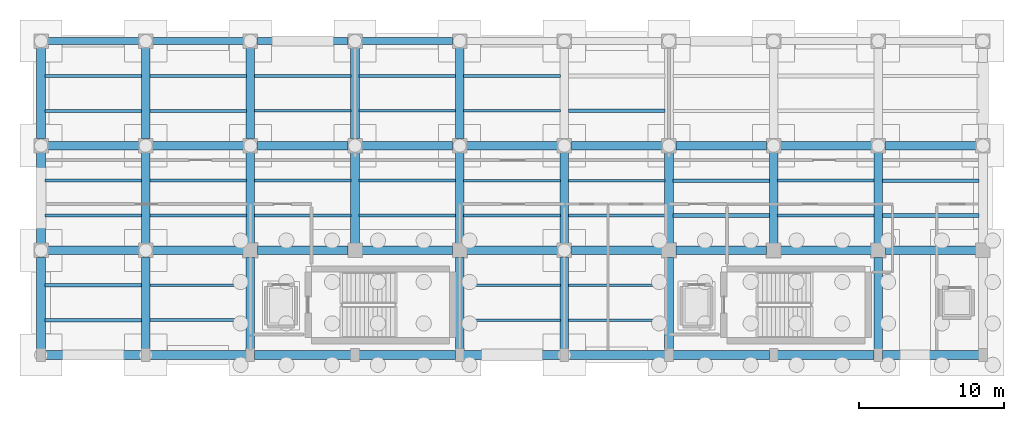
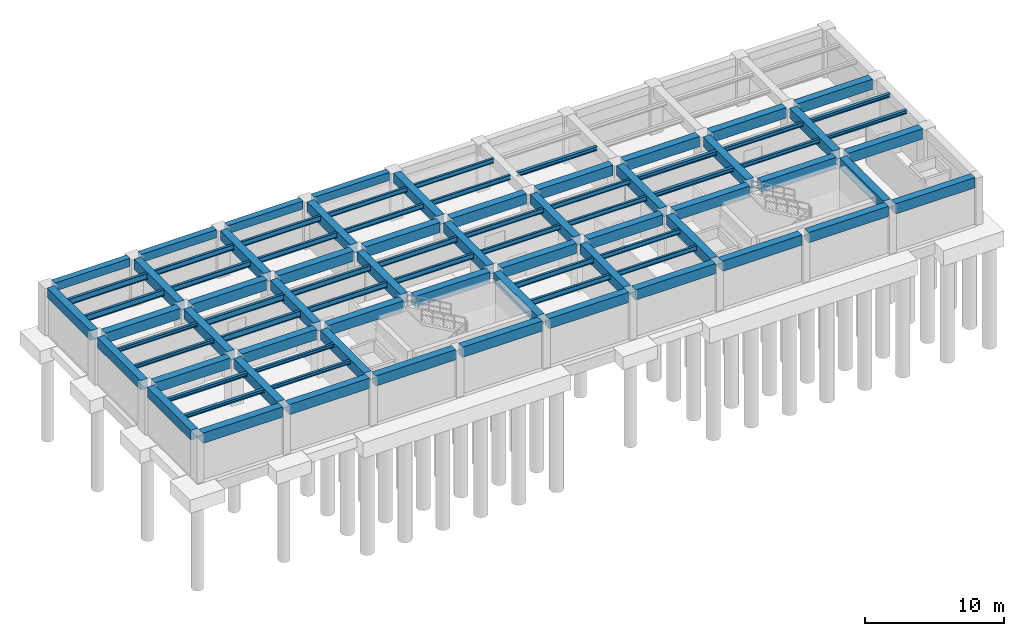
# One storey, part 2 of 8: 89 beams.
"""IFC4 building model written with IfcOpenShell, lengths in metres."""

from ifc_helpers import new_model, si_unit, direction, frame, origin, origin_2d, place, context, subcontext, project, spatial, rectangle, i_section, extrude, material, material_profile, profile_set, type_object, element, save


model = new_model("IFC4")

# Units and contexts
model_context = context("Model", 3, precision=1e-05, world=origin(), true_north=direction((0.0, 1.0)))
body_context = subcontext(model_context, "Body", "Model", "MODEL_VIEW")
ifc_project = project(units=[si_unit("LENGTHUNIT", "METRE"), si_unit("AREAUNIT", "SQUARE_METRE"), si_unit("VOLUMEUNIT", "CUBIC_METRE"), si_unit("PLANEANGLEUNIT", "RADIAN"), si_unit("MASSUNIT", "GRAM", prefix="KILO")], contexts=[model_context])

# Site, building, storey
site_placement = place(None, origin())
site = spatial("IfcSite", under=ifc_project, at=site_placement, CompositionType="ELEMENT")
building_placement = place(site_placement, origin())
building = spatial("IfcBuilding", under=site, at=building_placement, Name="Solenvale Faculty of Natural Sciences", CompositionType="ELEMENT")
storey_placement = place(building_placement, frame((0.0, 0.0, -9.0)))
storey = spatial("IfcBuildingStorey", under=building, at=storey_placement, Name="B02", CompositionType="ELEMENT", Elevation=-9.0)

# Beams
ifc_material_1 = material(Name="Concrete 40 MPa", Category="concrete")
ifc_material_profile_1 = material_profile(ifc_material_1, rectangle(XDim=0.60009765625, YDim=0.85009765625, at=origin_2d()), Name="RC-BM-600x850")
ifc_profile_set_1 = profile_set([ifc_material_profile_1], Name="Concrete 40 MPa")
beam_type_1 = type_object("IfcBeamType", Name="BM-RC-600x850", PredefinedType="BEAM", material=ifc_profile_set_1)
beam_1_placement = place(storey_placement, frame((86.39990234375, 94.030029296875, 3.72509765625), z_axis=(0.0, 1.0, 0.0), x_axis=(-1.0, 0.0, 0.0)))
element("IfcBeam", 1, at=beam_1_placement, inside=storey, type_object=beam_type_1, Name="B02 Y-Girder X86.4 (93.6..100.8)", PredefinedType="BEAM", context=body_context, shape_type="SweptSolid", body=[
    extrude(rectangle(XDim=0.60009765625, YDim=0.85009765625, at=origin_2d()), origin(), (0.0, 0.0, 1.0), 6.2900390625),
])
for number, where, z_axis, x_axis, name in (
    (2, (86.39990234375, 101.280029296875, 3.72509765625), (0.0, 1.0, 0.0), (-1.0, 0.0, 0.0), "B02 Y-Girder X86.4 (100.8..108.0)"),
    (3, (86.39990234375, 108.47998046875, 3.72509765625), (0.0, 1.0, 0.0), (-1.0, 0.0, 0.0), "B02 Y-Girder X86.4 (108.0..115.2)"),
):
    element("IfcBeam", number, at=place(storey_placement, frame(where, z_axis=z_axis, x_axis=x_axis)), inside=storey, type_object=beam_type_1, Name=name, PredefinedType="BEAM", context=body_context, shape_type="SweptSolid", body=[
        extrude(rectangle(XDim=0.60009765625, YDim=0.85009765625, at=origin_2d()), origin(), (0.0, 0.0, 1.0), 6.239990234375),
    ])
beam_2_placement = place(storey_placement, frame((93.60009765625, 94.030029296875, 3.72509765625), z_axis=(0.0, 1.0, 0.0), x_axis=(-1.0, 0.0, 0.0)))
element("IfcBeam", 4, at=beam_2_placement, inside=storey, type_object=beam_type_1, Name="B02 Y-Girder X93.6 (93.6..100.8)", PredefinedType="BEAM", context=body_context, shape_type="SweptSolid", body=[
    extrude(rectangle(XDim=0.60009765625, YDim=0.85009765625, at=origin_2d()), origin(), (0.0, 0.0, 1.0), 6.2900390625),
])
for number, where, z_axis, x_axis, name in (
    (5, (93.60009765625, 101.280029296875, 3.72509765625), (0.0, 1.0, 0.0), (-1.0, 0.0, 0.0), "B02 Y-Girder X93.6 (100.8..108.0)"),
    (6, (93.60009765625, 108.47998046875, 3.72509765625), (0.0, 1.0, 0.0), (-1.0, 0.0, 0.0), "B02 Y-Girder X93.6 (108.0..115.2)"),
):
    element("IfcBeam", number, at=place(storey_placement, frame(where, z_axis=z_axis, x_axis=x_axis)), inside=storey, type_object=beam_type_1, Name=name, PredefinedType="BEAM", context=body_context, shape_type="SweptSolid", body=[
        extrude(rectangle(XDim=0.60009765625, YDim=0.85009765625, at=origin_2d()), origin(), (0.0, 0.0, 1.0), 6.239990234375),
    ])
beam_3_placement = place(storey_placement, frame((100.800048828125, 94.030029296875, 3.72509765625), z_axis=(0.0, 1.0, 0.0), x_axis=(-1.0, 0.0, 0.0)))
element("IfcBeam", 7, at=beam_3_placement, inside=storey, type_object=beam_type_1, Name="B02 Y-Girder X100.8 (93.6..100.8)", PredefinedType="BEAM", context=body_context, shape_type="SweptSolid", body=[
    extrude(rectangle(XDim=0.60009765625, YDim=0.85009765625, at=origin_2d()), origin(), (0.0, 0.0, 1.0), 6.2900390625),
])
for number, where, z_axis, x_axis, name in (
    (8, (100.800048828125, 101.280029296875, 3.72509765625), (0.0, 1.0, 0.0), (-1.0, 0.0, 0.0), "B02 Y-Girder X100.8 (100.8..108.0)"),
    (9, (100.800048828125, 108.47998046875, 3.72509765625), (0.0, 1.0, 0.0), (-1.0, 0.0, 0.0), "B02 Y-Girder X100.8 (108.0..115.2)"),
    (10, (108.0, 101.280029296875, 3.72509765625), (0.0, 1.0, 0.0), (-1.0, 0.0, 0.0), "B02 Y-Girder X108.0 (100.8..108.0)"),
    (11, (108.0, 108.47998046875, 3.72509765625), (0.0, 1.0, 0.0), (-1.0, 0.0, 0.0), "B02 Y-Girder X108.0 (108.0..115.2)"),
):
    element("IfcBeam", number, at=place(storey_placement, frame(where, z_axis=z_axis, x_axis=x_axis)), inside=storey, type_object=beam_type_1, Name=name, PredefinedType="BEAM", context=body_context, shape_type="SweptSolid", body=[
        extrude(rectangle(XDim=0.60009765625, YDim=0.85009765625, at=origin_2d()), origin(), (0.0, 0.0, 1.0), 6.239990234375),
    ])
beam_4_placement = place(storey_placement, frame((115.199951171875, 94.030029296875, 3.72509765625), z_axis=(0.0, 1.0, 0.0), x_axis=(-1.0, 0.0, 0.0)))
element("IfcBeam", 12, at=beam_4_placement, inside=storey, type_object=beam_type_1, Name="B02 Y-Girder X115.2 (93.6..100.8)", PredefinedType="BEAM", context=body_context, shape_type="SweptSolid", body=[
    extrude(rectangle(XDim=0.60009765625, YDim=0.85009765625, at=origin_2d()), origin(), (0.0, 0.0, 1.0), 6.2900390625),
])
for number, where, z_axis, x_axis, name in (
    (13, (115.199951171875, 101.280029296875, 3.72509765625), (0.0, 1.0, 0.0), (-1.0, 0.0, 0.0), "B02 Y-Girder X115.2 (100.8..108.0)"),
    (14, (115.199951171875, 108.47998046875, 3.72509765625), (0.0, 1.0, 0.0), (-1.0, 0.0, 0.0), "B02 Y-Girder X115.2 (108.0..115.2)"),
):
    element("IfcBeam", number, at=place(storey_placement, frame(where, z_axis=z_axis, x_axis=x_axis)), inside=storey, type_object=beam_type_1, Name=name, PredefinedType="BEAM", context=body_context, shape_type="SweptSolid", body=[
        extrude(rectangle(XDim=0.60009765625, YDim=0.85009765625, at=origin_2d()), origin(), (0.0, 0.0, 1.0), 6.239990234375),
    ])
beam_5_placement = place(storey_placement, frame((122.39990234375, 94.030029296875, 3.72509765625), z_axis=(0.0, 1.0, 0.0), x_axis=(-1.0, 0.0, 0.0)))
element("IfcBeam", 15, at=beam_5_placement, inside=storey, type_object=beam_type_1, Name="B02 Y-Girder X122.4 (93.6..100.8)", PredefinedType="BEAM", context=body_context, shape_type="SweptSolid", body=[
    extrude(rectangle(XDim=0.60009765625, YDim=0.85009765625, at=origin_2d()), origin(), (0.0, 0.0, 1.0), 6.2900390625),
])
beam_6_placement = place(storey_placement, frame((122.39990234375, 101.280029296875, 3.72509765625), z_axis=(0.0, 1.0, 0.0), x_axis=(-1.0, 0.0, 0.0)))
element("IfcBeam", 16, at=beam_6_placement, inside=storey, type_object=beam_type_1, Name="B02 Y-Girder X122.4 (100.8..108.0)", PredefinedType="BEAM", context=body_context, shape_type="SweptSolid", body=[
    extrude(rectangle(XDim=0.60009765625, YDim=0.85009765625, at=origin_2d()), origin(), (0.0, 0.0, 1.0), 6.239990234375),
])
beam_7_placement = place(storey_placement, frame((129.60009765625, 94.030029296875, 3.72509765625), z_axis=(0.0, 1.0, 0.0), x_axis=(-1.0, 0.0, 0.0)))
element("IfcBeam", 17, at=beam_7_placement, inside=storey, type_object=beam_type_1, Name="B02 Y-Girder X129.6 (93.6..100.8)", PredefinedType="BEAM", context=body_context, shape_type="SweptSolid", body=[
    extrude(rectangle(XDim=0.60009765625, YDim=0.85009765625, at=origin_2d()), origin(), (0.0, 0.0, 1.0), 6.2900390625),
])
for number, where, z_axis, x_axis, name in (
    (18, (129.60009765625, 101.280029296875, 3.72509765625), (0.0, 1.0, 0.0), (-1.0, 0.0, 0.0), "B02 Y-Girder X129.6 (100.8..108.0)"),
    (19, (136.800048828125, 101.280029296875, 3.72509765625), (0.0, 1.0, 0.0), (-1.0, 0.0, 0.0), "B02 Y-Girder X136.8 (100.8..108.0)"),
):
    element("IfcBeam", number, at=place(storey_placement, frame(where, z_axis=z_axis, x_axis=x_axis)), inside=storey, type_object=beam_type_1, Name=name, PredefinedType="BEAM", context=body_context, shape_type="SweptSolid", body=[
        extrude(rectangle(XDim=0.60009765625, YDim=0.85009765625, at=origin_2d()), origin(), (0.0, 0.0, 1.0), 6.239990234375),
    ])
beam_8_placement = place(storey_placement, frame((144.0, 94.030029296875, 3.72509765625), z_axis=(0.0, 1.0, 0.0), x_axis=(-1.0, 0.0, 0.0)))
element("IfcBeam", 20, at=beam_8_placement, inside=storey, type_object=beam_type_1, Name="B02 Y-Girder X144.0 (93.6..100.8)", PredefinedType="BEAM", context=body_context, shape_type="SweptSolid", body=[
    extrude(rectangle(XDim=0.60009765625, YDim=0.85009765625, at=origin_2d()), origin(), (0.0, 0.0, 1.0), 6.2900390625),
])
beam_9_placement = place(storey_placement, frame((144.0, 101.280029296875, 3.72509765625), z_axis=(0.0, 1.0, 0.0), x_axis=(-1.0, 0.0, 0.0)))
element("IfcBeam", 21, at=beam_9_placement, inside=storey, type_object=beam_type_1, Name="B02 Y-Girder X144.0 (100.8..108.0)", PredefinedType="BEAM", context=body_context, shape_type="SweptSolid", body=[
    extrude(rectangle(XDim=0.60009765625, YDim=0.85009765625, at=origin_2d()), origin(), (0.0, 0.0, 1.0), 6.239990234375),
])
ifc_material_profile_2 = material_profile(ifc_material_1, rectangle(XDim=0.60009765625, YDim=0.89990234375, at=origin_2d()), Name="RC-BM-600x900")
ifc_profile_set_2 = profile_set([ifc_material_profile_2], Name="Concrete 40 MPa")
beam_type_2 = type_object("IfcBeamType", Name="BM-RC-600x900", PredefinedType="BEAM", material=ifc_profile_set_2)
for number, where, z_axis, x_axis, name in (
    (22, (86.679931640625, 93.60009765625, 3.699951171875), (1.0, 0.0, 0.0), (0.0, 1.0, 0.0), "B02 X-Girder Y93.6 (86.4..93.6)"),
    (23, (93.8798828125, 93.60009765625, 3.699951171875), (1.0, 0.0, 0.0), (0.0, 1.0, 0.0), "B02 X-Girder Y93.6 (93.6..100.8)"),
):
    element("IfcBeam", number, at=place(storey_placement, frame(where, z_axis=z_axis, x_axis=x_axis)), inside=storey, type_object=beam_type_2, Name=name, PredefinedType="BEAM", context=body_context, shape_type="SweptSolid", body=[
        extrude(rectangle(XDim=0.60009765625, YDim=0.89990234375, at=origin_2d()), origin(), (0.0, 0.0, 1.0), 6.64013671875),
    ])
for number, where, z_axis, x_axis, name in (
    (24, (101.080078125, 93.60009765625, 3.699951171875), (1.0, 0.0, 0.0), (0.0, 1.0, 0.0), "B02 X-Girder Y93.6 (100.8..108.0)"),
    (25, (108.280029296875, 93.60009765625, 3.699951171875), (1.0, 0.0, 0.0), (0.0, 1.0, 0.0), "B02 X-Girder Y93.6 (108.0..115.2)"),
):
    element("IfcBeam", number, at=place(storey_placement, frame(where, z_axis=z_axis, x_axis=x_axis)), inside=storey, type_object=beam_type_2, Name=name, PredefinedType="BEAM", context=body_context, shape_type="SweptSolid", body=[
        extrude(rectangle(XDim=0.60009765625, YDim=0.89990234375, at=origin_2d()), origin(), (0.0, 0.0, 1.0), 6.639892578125),
    ])
for number, where, z_axis, x_axis, name in (
    (26, (115.47998046875, 93.60009765625, 3.699951171875), (1.0, 0.0, 0.0), (0.0, 1.0, 0.0), "B02 X-Girder Y93.6 (115.2..122.4)"),
    (27, (122.679931640625, 93.60009765625, 3.699951171875), (1.0, 0.0, 0.0), (0.0, 1.0, 0.0), "B02 X-Girder Y93.6 (122.4..129.6)"),
    (28, (129.8798828125, 93.60009765625, 3.699951171875), (1.0, 0.0, 0.0), (0.0, 1.0, 0.0), "B02 X-Girder Y93.6 (129.6..136.8)"),
):
    element("IfcBeam", number, at=place(storey_placement, frame(where, z_axis=z_axis, x_axis=x_axis)), inside=storey, type_object=beam_type_2, Name=name, PredefinedType="BEAM", context=body_context, shape_type="SweptSolid", body=[
        extrude(rectangle(XDim=0.60009765625, YDim=0.89990234375, at=origin_2d()), origin(), (0.0, 0.0, 1.0), 6.64013671875),
    ])
for number, where, z_axis, x_axis, name in (
    (29, (137.080078125, 93.60009765625, 3.699951171875), (1.0, 0.0, 0.0), (0.0, 1.0, 0.0), "B02 X-Girder Y93.6 (136.8..144.0)"),
    (30, (144.280029296875, 93.60009765625, 3.699951171875), (1.0, 0.0, 0.0), (0.0, 1.0, 0.0), "B02 X-Girder Y93.6 (144.0..151.2)"),
):
    element("IfcBeam", number, at=place(storey_placement, frame(where, z_axis=z_axis, x_axis=x_axis)), inside=storey, type_object=beam_type_2, Name=name, PredefinedType="BEAM", context=body_context, shape_type="SweptSolid", body=[
        extrude(rectangle(XDim=0.60009765625, YDim=0.89990234375, at=origin_2d()), origin(), (0.0, 0.0, 1.0), 6.639892578125),
    ])
beam_10_placement = place(storey_placement, frame((86.8798828125, 100.800048828125, 3.699951171875), z_axis=(1.0, 0.0, 0.0), x_axis=(0.0, 1.0, 0.0)))
element("IfcBeam", 31, at=beam_10_placement, inside=storey, type_object=beam_type_2, Name="B02 X-Girder Y100.8 (86.4..93.6)", PredefinedType="BEAM", context=body_context, shape_type="SweptSolid", body=[
    extrude(rectangle(XDim=0.60009765625, YDim=0.89990234375, at=origin_2d()), origin(), (0.0, 0.0, 1.0), 6.240234375),
])
for number, where, z_axis, x_axis, name in (
    (32, (94.080078125, 100.800048828125, 3.699951171875), (1.0, 0.0, 0.0), (0.0, 1.0, 0.0), "B02 X-Girder Y100.8 (93.6..100.8)"),
    (33, (101.280029296875, 100.800048828125, 3.699951171875), (1.0, 0.0, 0.0), (0.0, 1.0, 0.0), "B02 X-Girder Y100.8 (100.8..108.0)"),
    (34, (108.47998046875, 100.800048828125, 3.699951171875), (1.0, 0.0, 0.0), (0.0, 1.0, 0.0), "B02 X-Girder Y100.8 (108.0..115.2)"),
    (35, (115.679931640625, 100.800048828125, 3.699951171875), (1.0, 0.0, 0.0), (0.0, 1.0, 0.0), "B02 X-Girder Y100.8 (115.2..122.4)"),
):
    element("IfcBeam", number, at=place(storey_placement, frame(where, z_axis=z_axis, x_axis=x_axis)), inside=storey, type_object=beam_type_2, Name=name, PredefinedType="BEAM", context=body_context, shape_type="SweptSolid", body=[
        extrude(rectangle(XDim=0.60009765625, YDim=0.89990234375, at=origin_2d()), origin(), (0.0, 0.0, 1.0), 6.239990234375),
    ])
beam_11_placement = place(storey_placement, frame((122.8798828125, 100.800048828125, 3.699951171875), z_axis=(1.0, 0.0, 0.0), x_axis=(0.0, 1.0, 0.0)))
element("IfcBeam", 36, at=beam_11_placement, inside=storey, type_object=beam_type_2, Name="B02 X-Girder Y100.8 (122.4..129.6)", PredefinedType="BEAM", context=body_context, shape_type="SweptSolid", body=[
    extrude(rectangle(XDim=0.60009765625, YDim=0.89990234375, at=origin_2d()), origin(), (0.0, 0.0, 1.0), 6.240234375),
])
for number, where, z_axis, x_axis, name in (
    (37, (130.080078125, 100.800048828125, 3.699951171875), (1.0, 0.0, 0.0), (0.0, 1.0, 0.0), "B02 X-Girder Y100.8 (129.6..136.8)"),
    (38, (137.280029296875, 100.800048828125, 3.699951171875), (1.0, 0.0, 0.0), (0.0, 1.0, 0.0), "B02 X-Girder Y100.8 (136.8..144.0)"),
    (39, (144.47998046875, 100.800048828125, 3.699951171875), (1.0, 0.0, 0.0), (0.0, 1.0, 0.0), "B02 X-Girder Y100.8 (144.0..151.2)"),
):
    element("IfcBeam", number, at=place(storey_placement, frame(where, z_axis=z_axis, x_axis=x_axis)), inside=storey, type_object=beam_type_2, Name=name, PredefinedType="BEAM", context=body_context, shape_type="SweptSolid", body=[
        extrude(rectangle(XDim=0.60009765625, YDim=0.89990234375, at=origin_2d()), origin(), (0.0, 0.0, 1.0), 6.239990234375),
    ])
beam_12_placement = place(storey_placement, frame((86.8798828125, 108.0, 3.699951171875), z_axis=(1.0, 0.0, 0.0), x_axis=(0.0, 1.0, 0.0)))
element("IfcBeam", 40, at=beam_12_placement, inside=storey, type_object=beam_type_2, Name="B02 X-Girder Y108.0 (86.4..93.6)", PredefinedType="BEAM", context=body_context, shape_type="SweptSolid", body=[
    extrude(rectangle(XDim=0.60009765625, YDim=0.89990234375, at=origin_2d()), origin(), (0.0, 0.0, 1.0), 6.240234375),
])
for number, where, z_axis, x_axis, name in (
    (41, (94.080078125, 108.0, 3.699951171875), (1.0, 0.0, 0.0), (0.0, 1.0, 0.0), "B02 X-Girder Y108.0 (93.6..100.8)"),
    (42, (101.280029296875, 108.0, 3.699951171875), (1.0, 0.0, 0.0), (0.0, 1.0, 0.0), "B02 X-Girder Y108.0 (100.8..108.0)"),
    (43, (108.47998046875, 108.0, 3.699951171875), (1.0, 0.0, 0.0), (0.0, 1.0, 0.0), "B02 X-Girder Y108.0 (108.0..115.2)"),
    (44, (115.679931640625, 108.0, 3.699951171875), (1.0, 0.0, 0.0), (0.0, 1.0, 0.0), "B02 X-Girder Y108.0 (115.2..122.4)"),
):
    element("IfcBeam", number, at=place(storey_placement, frame(where, z_axis=z_axis, x_axis=x_axis)), inside=storey, type_object=beam_type_2, Name=name, PredefinedType="BEAM", context=body_context, shape_type="SweptSolid", body=[
        extrude(rectangle(XDim=0.60009765625, YDim=0.89990234375, at=origin_2d()), origin(), (0.0, 0.0, 1.0), 6.239990234375),
    ])
beam_13_placement = place(storey_placement, frame((122.8798828125, 108.0, 3.699951171875), z_axis=(1.0, 0.0, 0.0), x_axis=(0.0, 1.0, 0.0)))
element("IfcBeam", 45, at=beam_13_placement, inside=storey, type_object=beam_type_2, Name="B02 X-Girder Y108.0 (122.4..129.6)", PredefinedType="BEAM", context=body_context, shape_type="SweptSolid", body=[
    extrude(rectangle(XDim=0.60009765625, YDim=0.89990234375, at=origin_2d()), origin(), (0.0, 0.0, 1.0), 6.240234375),
])
for number, where, z_axis, x_axis, name in (
    (46, (130.080078125, 108.0, 3.699951171875), (1.0, 0.0, 0.0), (0.0, 1.0, 0.0), "B02 X-Girder Y108.0 (129.6..136.8)"),
    (47, (137.280029296875, 108.0, 3.699951171875), (1.0, 0.0, 0.0), (0.0, 1.0, 0.0), "B02 X-Girder Y108.0 (136.8..144.0)"),
    (48, (144.47998046875, 108.0, 3.699951171875), (1.0, 0.0, 0.0), (0.0, 1.0, 0.0), "B02 X-Girder Y108.0 (144.0..151.2)"),
):
    element("IfcBeam", number, at=place(storey_placement, frame(where, z_axis=z_axis, x_axis=x_axis)), inside=storey, type_object=beam_type_2, Name=name, PredefinedType="BEAM", context=body_context, shape_type="SweptSolid", body=[
        extrude(rectangle(XDim=0.60009765625, YDim=0.89990234375, at=origin_2d()), origin(), (0.0, 0.0, 1.0), 6.239990234375),
    ])
ifc_material_2 = material(Name="Precast concrete 40 MPa", Category="concrete")
ifc_material_profile_3 = material_profile(ifc_material_2, rectangle(XDim=0.5, YDim=0.699951171875, at=origin_2d()), Name="RC-BM-500x700")
ifc_profile_set_3 = profile_set([ifc_material_profile_3], Name="Precast concrete 40 MPa")
beam_type_3 = type_object("IfcBeamType", Name="BM-SPN-PRC-700", PredefinedType="SPANDREL", material=ifc_profile_set_3)
beam_14_placement = place(storey_placement, frame((86.8798828125, 115.199951171875, 3.800048828125), z_axis=(1.0, 0.0, 0.0), x_axis=(0.0, 1.0, 0.0)))
element("IfcBeam", 49, at=beam_14_placement, inside=storey, type_object=beam_type_3, Name="B02 X-Girder Y115.2 (86.4..93.6)", PredefinedType="SPANDREL", context=body_context, shape_type="SweptSolid", body=[
    extrude(rectangle(XDim=0.5, YDim=0.699951171875, at=origin_2d()), origin(), (0.0, 0.0, 1.0), 6.240234375),
])
for number, where, z_axis, x_axis, name in (
    (50, (94.080078125, 115.199951171875, 3.800048828125), (1.0, 0.0, 0.0), (0.0, 1.0, 0.0), "B02 X-Girder Y115.2 (93.6..100.8)"),
    (51, (101.280029296875, 115.199951171875, 3.800048828125), (1.0, 0.0, 0.0), (0.0, 1.0, 0.0), "B02 X-Girder Y115.2 (100.8..108.0)"),
    (52, (108.47998046875, 115.199951171875, 3.800048828125), (1.0, 0.0, 0.0), (0.0, 1.0, 0.0), "B02 X-Girder Y115.2 (108.0..115.2)"),
):
    element("IfcBeam", number, at=place(storey_placement, frame(where, z_axis=z_axis, x_axis=x_axis)), inside=storey, type_object=beam_type_3, Name=name, PredefinedType="SPANDREL", context=body_context, shape_type="SweptSolid", body=[
        extrude(rectangle(XDim=0.5, YDim=0.699951171875, at=origin_2d()), origin(), (0.0, 0.0, 1.0), 6.239990234375),
    ])
ifc_material_3 = material(Name="Steel S355", Category="steel")
ifc_material_profile_4 = material_profile(ifc_material_3, i_section(OverallWidth=0.202880859375, OverallDepth=0.302978515625, WebThickness=0.007568359375, FlangeThickness=0.01318359375, FilletRadius=0.014892578125, at=origin_2d()), Name="W310x60")
ifc_profile_set_4 = profile_set([ifc_material_profile_4], Name="Steel S355")
beam_type_4 = type_object("IfcBeamType", Name="BM-STL-W310x60", PredefinedType="JOIST", material=ifc_profile_set_4)
for number, where, z_axis, x_axis, name in (
    (53, (86.679931640625, 103.199951171875, 3.99853515625), (1.0, 0.0, 0.0), (0.0, 1.0, 0.0), "B02 Composite Floor Joist (13,15).1"),
    (54, (86.679931640625, 105.60009765625, 3.99853515625), (1.0, 0.0, 0.0), (0.0, 1.0, 0.0), "B02 Composite Floor Joist (13,15).2"),
    (55, (93.8798828125, 96.0, 3.99853515625), (1.0, 0.0, 0.0), (0.0, 1.0, 0.0), "B02 Composite Floor Joist (14,14).1"),
    (56, (93.8798828125, 98.39990234375, 3.99853515625), (1.0, 0.0, 0.0), (0.0, 1.0, 0.0), "B02 Composite Floor Joist (14,14).2"),
):
    element("IfcBeam", number, at=place(storey_placement, frame(where, z_axis=z_axis, x_axis=x_axis)), inside=storey, type_object=beam_type_4, Name=name, PredefinedType="JOIST", context=body_context, shape_type="SweptSolid", body=[
        extrude(i_section(OverallWidth=0.202880859375, OverallDepth=0.302978515625, WebThickness=0.007568359375, FlangeThickness=0.01318359375, FilletRadius=0.014892578125, at=origin_2d()), origin(), (0.0, 0.0, 1.0), 6.64013671875),
    ])
ifc_material_profile_5 = material_profile(ifc_material_3, i_section(OverallWidth=0.25390625, OverallDepth=0.305908203125, WebThickness=0.0087890625, FlangeThickness=0.0146484375, FilletRadius=0.014892578125, at=origin_2d()), Name="W310x79")
ifc_profile_set_5 = profile_set([ifc_material_profile_5], Name="Steel S355")
beam_type_5 = type_object("IfcBeamType", Name="BM-STL-W310x79", PredefinedType="JOIST", material=ifc_profile_set_5)
for number, where, z_axis, x_axis, name in (
    (57, (86.679931640625, 96.0, 3.9970703125), (1.0, 0.0, 0.0), (0.0, 1.0, 0.0), "B02 Composite Floor Joist (13,14).1"),
    (58, (86.679931640625, 98.39990234375, 3.9970703125), (1.0, 0.0, 0.0), (0.0, 1.0, 0.0), "B02 Composite Floor Joist (13,14).2"),
):
    element("IfcBeam", number, at=place(storey_placement, frame(where, z_axis=z_axis, x_axis=x_axis)), inside=storey, type_object=beam_type_5, Name=name, PredefinedType="JOIST", context=body_context, shape_type="SweptSolid", body=[
        extrude(i_section(OverallWidth=0.25390625, OverallDepth=0.305908203125, WebThickness=0.0087890625, FlangeThickness=0.0146484375, FilletRadius=0.014892578125, at=origin_2d()), origin(), (0.0, 0.0, 1.0), 6.64013671875),
    ])
for number, where, z_axis, x_axis, name in (
    (59, (144.280029296875, 103.199951171875, 3.9970703125), (1.0, 0.0, 0.0), (0.0, 1.0, 0.0), "B02 Composite Floor Joist (21,15).1"),
    (60, (144.280029296875, 105.60009765625, 3.9970703125), (1.0, 0.0, 0.0), (0.0, 1.0, 0.0), "B02 Composite Floor Joist (21,15).2"),
):
    element("IfcBeam", number, at=place(storey_placement, frame(where, z_axis=z_axis, x_axis=x_axis)), inside=storey, type_object=beam_type_5, Name=name, PredefinedType="JOIST", context=body_context, shape_type="SweptSolid", body=[
        extrude(i_section(OverallWidth=0.25390625, OverallDepth=0.305908203125, WebThickness=0.0087890625, FlangeThickness=0.0146484375, FilletRadius=0.014892578125, at=origin_2d()), origin(), (0.0, 0.0, 1.0), 6.639892578125),
    ])
ifc_material_profile_6 = material_profile(ifc_material_3, i_section(OverallWidth=0.2548828125, OverallDepth=0.35693359375, WebThickness=0.010498046875, FlangeThickness=0.018310546875, FilletRadius=0.014892578125, at=origin_2d()), Name="W360x101")
ifc_profile_set_6 = profile_set([ifc_material_profile_6], Name="Steel S355")
beam_type_6 = type_object("IfcBeamType", Name="BM-STL-W360x101", PredefinedType="JOIST", material=ifc_profile_set_6)
for number, where, z_axis, x_axis, name in (
    (61, (122.679931640625, 110.39990234375, 3.971435546875), (1.0, 0.0, 0.0), (0.0, 1.0, 0.0), "B02 Composite Floor Joist (18,16).1"),
    (62, (129.8798828125, 103.199951171875, 3.971435546875), (1.0, 0.0, 0.0), (0.0, 1.0, 0.0), "B02 Composite Floor Joist (19,15).1"),
    (63, (129.8798828125, 105.60009765625, 3.971435546875), (1.0, 0.0, 0.0), (0.0, 1.0, 0.0), "B02 Composite Floor Joist (19,15).2"),
):
    element("IfcBeam", number, at=place(storey_placement, frame(where, z_axis=z_axis, x_axis=x_axis)), inside=storey, type_object=beam_type_6, Name=name, PredefinedType="JOIST", context=body_context, shape_type="SweptSolid", body=[
        extrude(i_section(OverallWidth=0.2548828125, OverallDepth=0.35693359375, WebThickness=0.010498046875, FlangeThickness=0.018310546875, FilletRadius=0.014892578125, at=origin_2d()), origin(), (0.0, 0.0, 1.0), 6.64013671875),
    ])
ifc_material_profile_7 = material_profile(ifc_material_3, i_section(OverallWidth=0.2041015625, OverallDepth=0.35009765625, WebThickness=0.008544921875, FlangeThickness=0.01513671875, FilletRadius=0.014892578125, at=origin_2d()), Name="W360x72")
ifc_profile_set_7 = profile_set([ifc_material_profile_7], Name="Steel S355")
beam_type_7 = type_object("IfcBeamType", Name="BM-STL-W360x72", PredefinedType="JOIST", material=ifc_profile_set_7)
for number, where, z_axis, x_axis, name in (
    (64, (137.080078125, 103.199951171875, 3.97509765625), (1.0, 0.0, 0.0), (0.0, 1.0, 0.0), "B02 Composite Floor Joist (20,15).1"),
    (65, (137.080078125, 105.60009765625, 3.97509765625), (1.0, 0.0, 0.0), (0.0, 1.0, 0.0), "B02 Composite Floor Joist (20,15).2"),
):
    element("IfcBeam", number, at=place(storey_placement, frame(where, z_axis=z_axis, x_axis=x_axis)), inside=storey, type_object=beam_type_7, Name=name, PredefinedType="JOIST", context=body_context, shape_type="SweptSolid", body=[
        extrude(i_section(OverallWidth=0.2041015625, OverallDepth=0.35009765625, WebThickness=0.008544921875, FlangeThickness=0.01513671875, FilletRadius=0.014892578125, at=origin_2d()), origin(), (0.0, 0.0, 1.0), 6.639892578125),
    ])
ifc_material_profile_8 = material_profile(ifc_material_3, i_section(OverallWidth=0.178955078125, OverallDepth=0.409912109375, WebThickness=0.0087890625, FlangeThickness=0.014404296875, FilletRadius=0.01611328125, at=origin_2d()), Name="W410x67")
ifc_profile_set_8 = profile_set([ifc_material_profile_8], Name="Steel S355")
beam_type_8 = type_object("IfcBeamType", Name="BM-STL-W410x67", PredefinedType="JOIST", material=ifc_profile_set_8)
for number, where, z_axis, x_axis, name in (
    (66, (115.47998046875, 110.39990234375, 3.945068359375), (1.0, 0.0, 0.0), (0.0, 1.0, 0.0), "B02 Composite Floor Joist (17,16).1"),
    (67, (115.47998046875, 112.800048828125, 3.945068359375), (1.0, 0.0, 0.0), (0.0, 1.0, 0.0), "B02 Composite Floor Joist (17,16).2"),
    (68, (122.679931640625, 103.199951171875, 3.945068359375), (1.0, 0.0, 0.0), (0.0, 1.0, 0.0), "B02 Composite Floor Joist (18,15).1"),
    (69, (122.679931640625, 105.60009765625, 3.945068359375), (1.0, 0.0, 0.0), (0.0, 1.0, 0.0), "B02 Composite Floor Joist (18,15).2"),
):
    element("IfcBeam", number, at=place(storey_placement, frame(where, z_axis=z_axis, x_axis=x_axis)), inside=storey, type_object=beam_type_8, Name=name, PredefinedType="JOIST", context=body_context, shape_type="SweptSolid", body=[
        extrude(i_section(OverallWidth=0.178955078125, OverallDepth=0.409912109375, WebThickness=0.0087890625, FlangeThickness=0.014404296875, FilletRadius=0.01611328125, at=origin_2d()), origin(), (0.0, 0.0, 1.0), 6.64013671875),
    ])
ifc_material_profile_9 = material_profile(ifc_material_3, i_section(OverallWidth=0.180908203125, OverallDepth=0.4169921875, WebThickness=0.010986328125, FlangeThickness=0.018310546875, FilletRadius=0.01611328125, at=origin_2d()), Name="W410x85")
ifc_profile_set_9 = profile_set([ifc_material_profile_9], Name="Steel S355")
beam_type_9 = type_object("IfcBeamType", Name="BM-STL-W410x85", PredefinedType="JOIST", material=ifc_profile_set_9)
for number, where, z_axis, x_axis, name in (
    (70, (108.280029296875, 110.39990234375, 3.94140625), (1.0, 0.0, 0.0), (0.0, 1.0, 0.0), "B02 Composite Floor Joist (16,16).1"),
    (71, (108.280029296875, 112.800048828125, 3.94140625), (1.0, 0.0, 0.0), (0.0, 1.0, 0.0), "B02 Composite Floor Joist (16,16).2"),
):
    element("IfcBeam", number, at=place(storey_placement, frame(where, z_axis=z_axis, x_axis=x_axis)), inside=storey, type_object=beam_type_9, Name=name, PredefinedType="JOIST", context=body_context, shape_type="SweptSolid", body=[
        extrude(i_section(OverallWidth=0.180908203125, OverallDepth=0.4169921875, WebThickness=0.010986328125, FlangeThickness=0.018310546875, FilletRadius=0.01611328125, at=origin_2d()), origin(), (0.0, 0.0, 1.0), 6.639892578125),
    ])
for number, where, z_axis, x_axis, name in (
    (72, (115.47998046875, 103.199951171875, 3.94140625), (1.0, 0.0, 0.0), (0.0, 1.0, 0.0), "B02 Composite Floor Joist (17,15).1"),
    (73, (115.47998046875, 105.60009765625, 3.94140625), (1.0, 0.0, 0.0), (0.0, 1.0, 0.0), "B02 Composite Floor Joist (17,15).2"),
    (74, (122.679931640625, 96.0, 3.94140625), (1.0, 0.0, 0.0), (0.0, 1.0, 0.0), "B02 Composite Floor Joist (18,14).1"),
    (75, (122.679931640625, 98.39990234375, 3.94140625), (1.0, 0.0, 0.0), (0.0, 1.0, 0.0), "B02 Composite Floor Joist (18,14).2"),
):
    element("IfcBeam", number, at=place(storey_placement, frame(where, z_axis=z_axis, x_axis=x_axis)), inside=storey, type_object=beam_type_9, Name=name, PredefinedType="JOIST", context=body_context, shape_type="SweptSolid", body=[
        extrude(i_section(OverallWidth=0.180908203125, OverallDepth=0.4169921875, WebThickness=0.010986328125, FlangeThickness=0.018310546875, FilletRadius=0.01611328125, at=origin_2d()), origin(), (0.0, 0.0, 1.0), 6.64013671875),
    ])
ifc_material_profile_10 = material_profile(ifc_material_3, i_section(OverallWidth=0.194091796875, OverallDepth=0.468994140625, WebThickness=0.0126953125, FlangeThickness=0.0205078125, FilletRadius=0.01806640625, at=origin_2d()), Name="W460x106")
ifc_profile_set_10 = profile_set([ifc_material_profile_10], Name="Steel S355")
beam_type_10 = type_object("IfcBeamType", Name="BM-STL-W460x106", PredefinedType="JOIST", material=ifc_profile_set_10)
for number, where, z_axis, x_axis, name in (
    (76, (93.8798828125, 110.39990234375, 3.91552734375), (1.0, 0.0, 0.0), (0.0, 1.0, 0.0), "B02 Composite Floor Joist (14,16).1"),
    (77, (93.8798828125, 112.800048828125, 3.91552734375), (1.0, 0.0, 0.0), (0.0, 1.0, 0.0), "B02 Composite Floor Joist (14,16).2"),
):
    element("IfcBeam", number, at=place(storey_placement, frame(where, z_axis=z_axis, x_axis=x_axis)), inside=storey, type_object=beam_type_10, Name=name, PredefinedType="JOIST", context=body_context, shape_type="SweptSolid", body=[
        extrude(i_section(OverallWidth=0.194091796875, OverallDepth=0.468994140625, WebThickness=0.0126953125, FlangeThickness=0.0205078125, FilletRadius=0.01806640625, at=origin_2d()), origin(), (0.0, 0.0, 1.0), 6.64013671875),
    ])
for number, where, z_axis, x_axis, name in (
    (78, (101.080078125, 103.199951171875, 3.91552734375), (1.0, 0.0, 0.0), (0.0, 1.0, 0.0), "B02 Composite Floor Joist (15,15).1"),
    (79, (101.080078125, 105.60009765625, 3.91552734375), (1.0, 0.0, 0.0), (0.0, 1.0, 0.0), "B02 Composite Floor Joist (15,15).2"),
):
    element("IfcBeam", number, at=place(storey_placement, frame(where, z_axis=z_axis, x_axis=x_axis)), inside=storey, type_object=beam_type_10, Name=name, PredefinedType="JOIST", context=body_context, shape_type="SweptSolid", body=[
        extrude(i_section(OverallWidth=0.194091796875, OverallDepth=0.468994140625, WebThickness=0.0126953125, FlangeThickness=0.0205078125, FilletRadius=0.01806640625, at=origin_2d()), origin(), (0.0, 0.0, 1.0), 6.639892578125),
    ])
ifc_material_profile_11 = material_profile(ifc_material_3, i_section(OverallWidth=0.19091796875, OverallDepth=0.4599609375, WebThickness=0.010009765625, FlangeThickness=0.01611328125, FilletRadius=0.01806640625, at=origin_2d()), Name="W460x82")
ifc_profile_set_11 = profile_set([ifc_material_profile_11], Name="Steel S355")
beam_type_11 = type_object("IfcBeamType", Name="BM-STL-W460x82", PredefinedType="JOIST", material=ifc_profile_set_11)
for number, where, z_axis, x_axis, name in (
    (80, (101.080078125, 110.39990234375, 3.919921875), (1.0, 0.0, 0.0), (0.0, 1.0, 0.0), "B02 Composite Floor Joist (15,16).1"),
    (81, (101.080078125, 112.800048828125, 3.919921875), (1.0, 0.0, 0.0), (0.0, 1.0, 0.0), "B02 Composite Floor Joist (15,16).2"),
    (82, (108.280029296875, 103.199951171875, 3.919921875), (1.0, 0.0, 0.0), (0.0, 1.0, 0.0), "B02 Composite Floor Joist (16,15).1"),
    (83, (108.280029296875, 105.60009765625, 3.919921875), (1.0, 0.0, 0.0), (0.0, 1.0, 0.0), "B02 Composite Floor Joist (16,15).2"),
):
    element("IfcBeam", number, at=place(storey_placement, frame(where, z_axis=z_axis, x_axis=x_axis)), inside=storey, type_object=beam_type_11, Name=name, PredefinedType="JOIST", context=body_context, shape_type="SweptSolid", body=[
        extrude(i_section(OverallWidth=0.19091796875, OverallDepth=0.4599609375, WebThickness=0.010009765625, FlangeThickness=0.01611328125, FilletRadius=0.01806640625, at=origin_2d()), origin(), (0.0, 0.0, 1.0), 6.639892578125),
    ])
for number, where, z_axis, x_axis, name in (
    (84, (115.47998046875, 96.0, 3.919921875), (1.0, 0.0, 0.0), (0.0, 1.0, 0.0), "B02 Composite Floor Joist (17,14).1"),
    (85, (115.47998046875, 98.39990234375, 3.919921875), (1.0, 0.0, 0.0), (0.0, 1.0, 0.0), "B02 Composite Floor Joist (17,14).2"),
):
    element("IfcBeam", number, at=place(storey_placement, frame(where, z_axis=z_axis, x_axis=x_axis)), inside=storey, type_object=beam_type_11, Name=name, PredefinedType="JOIST", context=body_context, shape_type="SweptSolid", body=[
        extrude(i_section(OverallWidth=0.19091796875, OverallDepth=0.4599609375, WebThickness=0.010009765625, FlangeThickness=0.01611328125, FilletRadius=0.01806640625, at=origin_2d()), origin(), (0.0, 0.0, 1.0), 6.64013671875),
    ])
ifc_material_profile_12 = material_profile(ifc_material_3, i_section(OverallWidth=0.208984375, OverallDepth=0.532958984375, WebThickness=0.01025390625, FlangeThickness=0.015625, FilletRadius=0.01904296875, at=origin_2d()), Name="W530x92")
ifc_profile_set_12 = profile_set([ifc_material_profile_12], Name="Steel S355")
beam_type_12 = type_object("IfcBeamType", Name="BM-STL-W530x92", PredefinedType="JOIST", material=ifc_profile_set_12)
for number, where, z_axis, x_axis, name in (
    (86, (86.679931640625, 110.39990234375, 3.883544921875), (1.0, 0.0, 0.0), (0.0, 1.0, 0.0), "B02 Composite Floor Joist (13,16).1"),
    (87, (86.679931640625, 112.800048828125, 3.883544921875), (1.0, 0.0, 0.0), (0.0, 1.0, 0.0), "B02 Composite Floor Joist (13,16).2"),
    (88, (93.8798828125, 103.199951171875, 3.883544921875), (1.0, 0.0, 0.0), (0.0, 1.0, 0.0), "B02 Composite Floor Joist (14,15).1"),
    (89, (93.8798828125, 105.60009765625, 3.883544921875), (1.0, 0.0, 0.0), (0.0, 1.0, 0.0), "B02 Composite Floor Joist (14,15).2"),
):
    element("IfcBeam", number, at=place(storey_placement, frame(where, z_axis=z_axis, x_axis=x_axis)), inside=storey, type_object=beam_type_12, Name=name, PredefinedType="JOIST", context=body_context, shape_type="SweptSolid", body=[
        extrude(i_section(OverallWidth=0.208984375, OverallDepth=0.532958984375, WebThickness=0.01025390625, FlangeThickness=0.015625, FilletRadius=0.01904296875, at=origin_2d()), origin(), (0.0, 0.0, 1.0), 6.64013671875),
    ])

save(model, "model.ifc")
